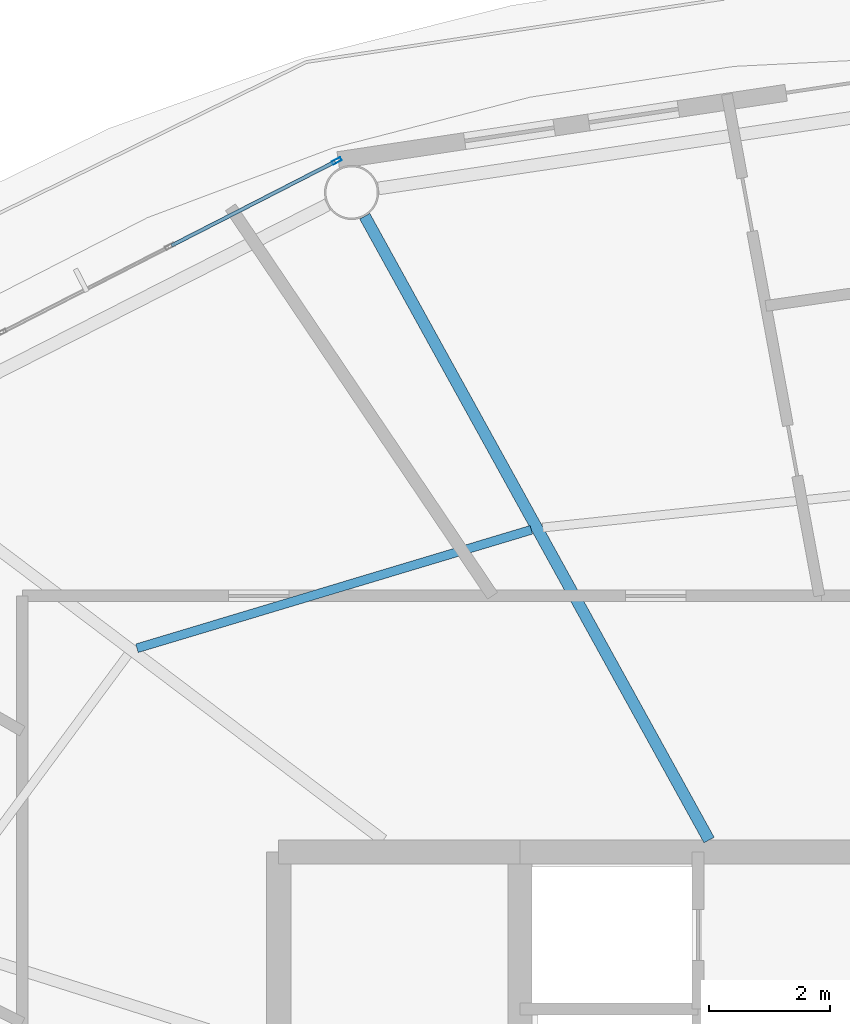
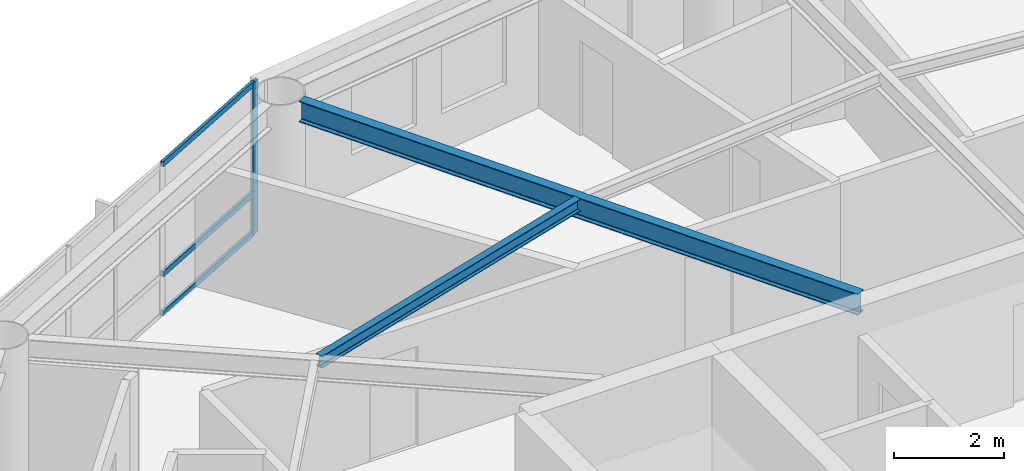
# One storey, part 9 of 22: 4 members, 2 beams, 1 element without a shape of its own.
"""IFC4 building model written with IfcOpenShell, lengths in metres."""

import ifcopenshell
import ifcopenshell.guid

model = None  # the IFC model being written
_history = None  # IfcOwnerHistory: only IFC2X3 demands one
_inside = {}  # id of a spatial element -> (the spatial element, [elements in it])
_under = {}  # id of a project, library or spatial element -> (it, [spatial elements below it])
_declared = {}  # id of a project -> (the project, [libraries it declares])
_typed = {}  # id of a type object -> (the type object, [elements of that type])
_made_of = {}  # id of a material, layer set ... -> (it, [elements and type objects made of it])


def new_model(schema):
    """Start an empty IFC model of exactly this schema.

    Asked for "IFC4X3", IfcOpenShell would pick the latest addendum, in which some entities
    have other attributes; the version numbers below select the first issue.
    IFC2X3 requires an IfcOwnerHistory on every rooted entity: one is made here for all.
    """
    global model, _history
    if schema == "IFC4X3":
        model = ifcopenshell.file(schema_version=(4, 3, 0, 0))
    else:
        model = ifcopenshell.file(schema=schema)
    _inside.clear()
    _under.clear()
    _declared.clear()
    _typed.clear()
    _made_of.clear()
    _history = None
    if model.schema == "IFC2X3":
        org = make("IfcOrganization", Name="unknown")
        user = make(
            "IfcPersonAndOrganization",
            ThePerson=make("IfcPerson", FamilyName="unknown"),
            TheOrganization=org,
        )
        app = make(
            "IfcApplication",
            ApplicationDeveloper=org,
            Version="unknown",
            ApplicationFullName="unknown",
            ApplicationIdentifier="unknown",
        )
        _history = make(
            "IfcOwnerHistory",
            OwningUser=user,
            OwningApplication=app,
            ChangeAction="ADDED",
            CreationDate=0,
        )
    return model


def make(cls, **values):
    """One entity of the class cls with the attributes given. An attribute that is None is left unset."""
    return model.create_entity(
        cls, **{name: value for name, value in values.items() if value is not None}
    )


def rooted(cls, **values):
    """An entity with a GlobalId (a new one), such as an element, a storey or a relation."""
    return make(cls, GlobalId=ifcopenshell.guid.new(), OwnerHistory=_history, **values)


def si_unit(unit_type, name, prefix=None):
    """IfcSIUnit, for example si_unit("LENGTHUNIT", "METRE", prefix="MILLI")."""
    return make("IfcSIUnit", UnitType=unit_type, Prefix=prefix, Name=name)


def assignment(units):
    """IfcUnitAssignment: the units of a project."""
    return None if units is None else make("IfcUnitAssignment", Units=units)


def point(xyz):
    """IfcCartesianPoint."""
    return None if xyz is None else make("IfcCartesianPoint", Coordinates=xyz)


def direction(xyz):
    """IfcDirection."""
    return None if xyz is None else make("IfcDirection", DirectionRatios=xyz)


def frame(location, z_axis=None, x_axis=None):
    """IfcAxis2Placement3D, a coordinate frame: its origin and axes. An axis left out is left unset."""
    return make(
        "IfcAxis2Placement3D",
        Location=point(location),
        Axis=direction(z_axis),
        RefDirection=direction(x_axis),
    )


def frame_2d(location, x_axis=None):
    """IfcAxis2Placement2D, a coordinate frame in the plane: its origin and x axis."""
    return make(
        "IfcAxis2Placement2D", Location=point(location), RefDirection=direction(x_axis)
    )


def origin():
    """The frame at (0, 0, 0) with its axes left unset."""
    return frame((0.0, 0.0, 0.0))


def origin_2d():
    """The frame at (0, 0) in the plane with its x axis left unset."""
    return frame_2d((0.0, 0.0))


def place(relative_to, where):
    """IfcLocalPlacement: puts the frame where relative to a parent placement (None: the world)."""
    return make(
        "IfcLocalPlacement", PlacementRelTo=relative_to, RelativePlacement=where
    )


def context(
    kind, dimensions, precision=None, world=None, true_north=None, identifier=None
):
    """IfcGeometricRepresentationContext, for example the 3D "Model" context."""
    return make(
        "IfcGeometricRepresentationContext",
        ContextIdentifier=identifier,
        ContextType=kind,
        CoordinateSpaceDimension=dimensions,
        Precision=precision,
        WorldCoordinateSystem=world,
        TrueNorth=true_north,
    )


def subcontext(parent, identifier, kind, view, scale=None):
    """IfcGeometricRepresentationSubContext, for example "Body" below "Model"."""
    return make(
        "IfcGeometricRepresentationSubContext",
        ContextIdentifier=identifier,
        ContextType=kind,
        ParentContext=parent,
        TargetScale=scale,
        TargetView=view,
    )


def project(units=None, contexts=None):
    """IfcProject with its units and contexts."""
    return rooted(
        "IfcProject",
        Name="project",
        RepresentationContexts=contexts,
        UnitsInContext=assignment(units),
    )


def spatial(cls, under=None, at=None, **own):
    """A site, building, storey or space (cls), placed at a placement, below another one or the project."""
    s = rooted(cls, ObjectPlacement=at, **own)
    if under is not None:
        _under.setdefault(under.id(), (under, []))[1].append(s)
    return s


def profile(cls, at=None, kind="AREA", **sizes):
    """A parametric profile (cls). Its sizes go by their IFC names, for example OverallWidth=200.0."""
    return make(cls, ProfileType=kind, Position=at, **sizes)


def hollow_rectangle(**sizes):
    """IfcRectangleHollowProfileDef."""
    return profile("IfcRectangleHollowProfileDef", **sizes)


def i_section(**sizes):
    """IfcIShapeProfileDef."""
    return profile("IfcIShapeProfileDef", **sizes)


def extrude(swept, where, along, depth):
    """IfcExtrudedAreaSolid: the profile swept, set in the frame where, extruded along a direction by depth."""
    return make(
        "IfcExtrudedAreaSolid",
        SweptArea=swept,
        Position=where,
        ExtrudedDirection=direction(along),
        Depth=depth,
    )


def shape(context_of_items, identifier, shape_type, items):
    """IfcShapeRepresentation: the items that make up one representation, for example the "Body"."""
    return make(
        "IfcShapeRepresentation",
        ContextOfItems=context_of_items,
        RepresentationIdentifier=identifier,
        RepresentationType=shape_type,
        Items=items,
    )


def material(Name=None, Category=None):
    """IfcMaterial."""
    return make("IfcMaterial", Name=Name, Category=Category)


def layer(
    of_material, thickness, ventilated=None, Name=None, Category=None, Priority=None
):
    """IfcMaterialLayer: one layer of a wall or slab, of a material (None: an air gap)."""
    return make(
        "IfcMaterialLayer",
        Material=of_material,
        LayerThickness=thickness,
        IsVentilated=ventilated,
        Name=Name,
        Category=Category,
        Priority=Priority,
    )


def layer_set(layers, Name=None):
    """IfcMaterialLayerSet."""
    return make("IfcMaterialLayerSet", MaterialLayers=layers, LayerSetName=Name)


def material_profile(
    of_material, cross_section, Name=None, Category=None, Priority=None
):
    """IfcMaterialProfile: a cross section and its material."""
    return make(
        "IfcMaterialProfile",
        Name=Name,
        Material=of_material,
        Profile=cross_section,
        Priority=Priority,
        Category=Category,
    )


def profile_set(profiles, Name=None, composite=None):
    """IfcMaterialProfileSet."""
    return make(
        "IfcMaterialProfileSet",
        Name=Name,
        MaterialProfiles=profiles,
        CompositeProfile=composite,
    )


def made_of(thing, what):
    """Note that an element or type object is made of a material, layer set ...; save() writes the relation."""
    if what is not None:
        _made_of.setdefault(what.id(), (what, []))[1].append(thing)
    return thing


def type_object(cls, material=None, **own):
    """A type object (cls), such as IfcWallType, which elements share."""
    return made_of(rooted(cls, **own), material)


def element(
    cls,
    number,
    at=None,
    inside=None,
    cuts=None,
    type_object=None,
    material=None,
    context=None,
    identifier="Body",
    shape_type=None,
    held_by="IfcProductDefinitionShape",
    body=None,
    shapes=None,
    **own,
):
    """One element of the class cls, such as IfcWall. Its Tag is "e" and its number.

    at: its placement. inside: the storey or other place that contains it. cuts: it is an
    opening in that element (IfcRelVoidsElement). A single representation is given by context,
    identifier, shape_type and body (its items); several are given by shapes. held_by: the class
    of the entity that holds the representations. save() writes the other relations.
    """
    e = rooted(cls, Tag="e%d" % number, ObjectPlacement=at, **own)
    if body is not None:
        shapes = [shape(context, identifier, shape_type, body)]
    if shapes is not None:
        e.Representation = make(held_by, Representations=shapes)
    if inside is not None:
        _inside.setdefault(inside.id(), (inside, []))[1].append(e)
    if cuts is not None:
        rooted(
            "IfcRelVoidsElement", RelatingBuildingElement=cuts, RelatedOpeningElement=e
        )
    if type_object is not None:
        _typed.setdefault(type_object.id(), (type_object, []))[1].append(e)
    return made_of(e, material)


def aggregate(whole, parts):
    """IfcRelAggregates: a whole, such as a stair, and the parts it consists of."""
    return rooted("IfcRelAggregates", RelatingObject=whole, RelatedObjects=parts)


def save(model, path):
    """Write the relations noted so far, then the file.

    IfcRelAggregates (storeys below a building ...), IfcRelContainedInSpatialStructure (elements
    in a storey), IfcRelDefinesByType, IfcRelAssociatesMaterial and IfcRelDeclares: one each for
    every whole, place, type object, material and project.
    """
    for whole, parts in _under.values():
        aggregate(whole, parts)
    for where, things in _inside.values():
        rooted(
            "IfcRelContainedInSpatialStructure",
            RelatedElements=things,
            RelatingStructure=where,
        )
    for kind, things in _typed.values():
        rooted("IfcRelDefinesByType", RelatedObjects=things, RelatingType=kind)
    for what, things in _made_of.values():
        rooted("IfcRelAssociatesMaterial", RelatedObjects=things, RelatingMaterial=what)
    for by, libraries in _declared.values():
        rooted("IfcRelDeclares", RelatingContext=by, RelatedDefinitions=libraries)
    model.write(path)


model = new_model("IFC4")

# Units and contexts
model_context = context("Model", 3, precision=1e-05, world=origin(), true_north=direction((0.0, 1.0)))
body_context = subcontext(model_context, "Body", "Model", "MODEL_VIEW")
ifc_project = project(units=[si_unit("LENGTHUNIT", "METRE"), si_unit("AREAUNIT", "SQUARE_METRE"), si_unit("VOLUMEUNIT", "CUBIC_METRE"), si_unit("PLANEANGLEUNIT", "RADIAN"), si_unit("MASSUNIT", "GRAM", prefix="KILO")], contexts=[model_context])

# Site, building, storey
site_placement = place(None, origin())
site = spatial("IfcSite", under=ifc_project, at=site_placement, CompositionType="ELEMENT")
building_placement = place(site_placement, origin())
building = spatial("IfcBuilding", under=site, at=building_placement, Name="Sarneth Arch Tower", CompositionType="ELEMENT")
storey_placement = place(building_placement, frame((0.0, 0.0, 210.0)))
storey = spatial("IfcBuildingStorey", under=building, at=storey_placement, Name="L53", CompositionType="ELEMENT", Elevation=210.0)

# Beams
ifc_material_1 = material(Name="Steel S355", Category="steel")
ifc_material_profile_1 = material_profile(ifc_material_1, i_section(OverallWidth=0.14794921875, OverallDepth=0.26611328125, WebThickness=0.007568359375, FlangeThickness=0.012939453125, FilletRadius=0.012939453125, at=origin_2d()), Name="W250x44.8")
ifc_profile_set_1 = profile_set([ifc_material_profile_1], Name="Steel S355")
beam_type_1 = type_object("IfcBeamType", Name="BM-JOIST-250", PredefinedType="JOIST", material=ifc_profile_set_1)
beam_1_placement = place(storey_placement, frame((41.189453125, 54.14453125, 3.22705078125), z_axis=(-0.957725851155, -0.287682453461, 0.0), x_axis=(0.287682453461, -0.957725851155, 0.0)))
element("IfcBeam", 1, at=beam_1_placement, inside=storey, type_object=beam_type_1, Name="L53 Secondary floor joist 06", PredefinedType="JOIST", context=body_context, shape_type="SweptSolid", body=[
    extrude(i_section(OverallWidth=0.14794921875, OverallDepth=0.26611328125, WebThickness=0.007568359375, FlangeThickness=0.012939453125, FilletRadius=0.012939453125, at=origin_2d()), origin(), (0.0, 0.0, 1.0), 6.828125),
])
ifc_material_2 = material(Name="Steel S355", Category="steel")
ifc_material_profile_2 = material_profile(ifc_material_2, i_section(OverallWidth=0.19189453125, OverallDepth=0.462890625, WebThickness=0.010498046875, FlangeThickness=0.017578125, FilletRadius=0.01806640625, at=origin_2d()), Name="W460x89")
ifc_profile_set_2 = profile_set([ifc_material_profile_2], Name="Steel S355")
beam_type_2 = type_object("IfcBeamType", Name="BM-RAD-460B", PredefinedType="BEAM", material=ifc_profile_set_2)
beam_2_placement = place(storey_placement, frame((44.13623046875, 49.0, 3.12841796875), z_axis=(-0.483218265038, 0.875499919094, 0.0), x_axis=(-0.875499919094, -0.483218265038, 0.0)))
element("IfcBeam", 2, at=beam_2_placement, inside=storey, type_object=beam_type_2, Name="L53 Radial floor girder 06", PredefinedType="BEAM", context=body_context, shape_type="SweptSolid", body=[
    extrude(i_section(OverallWidth=0.19189453125, OverallDepth=0.462890625, WebThickness=0.010498046875, FlangeThickness=0.017578125, FilletRadius=0.01806640625, at=origin_2d()), origin(), (0.0, 0.0, 1.0), 11.8154296875),
])

# Curtain wall, members
ifc_material_3 = material(Name="Anodised aluminium Type AA25 and solar-control low-e laminated IGU", Category="aluminium")
ifc_layer = layer(ifc_material_3, 0.179931640625)
ifc_layer_set = layer_set([ifc_layer], Name="Anodised aluminium Type AA25 and solar-control low-e laminated IGU")
curtain_wall_type = type_object("IfcCurtainWallType", Name="CW-RES-HIGH", PredefinedType="NOTDEFINED", material=ifc_layer_set)
curtain_wall_placement = place(storey_placement, origin())
curtain_wall = element("IfcCurtainWall", 3, at=curtain_wall_placement, inside=storey, type_object=curtain_wall_type, Name="L53 Unitised curtain wall facet 06", PredefinedType="NOTDEFINED")
ifc_material_4 = material(Name="Anodised Aluminium 6063-T6", Category="aluminium")
ifc_material_profile_3 = material_profile(ifc_material_4, hollow_rectangle(XDim=0.06005859375, YDim=0.159912109375, WallThickness=0.00390625, at=origin_2d()), Name="AL-MULL-160x60x4")
ifc_profile_set_3 = profile_set([ifc_material_profile_3], Name="Anodised Aluminium 6063-T6")
member_type_1 = type_object("IfcMemberType", Name="CW-MULLION", PredefinedType="MULLION", material=ifc_profile_set_3)
member_1_placement = place(storey_placement, frame((37.960693359375, 60.2607421875, 0.0), z_axis=(0.0, 0.0, 1.0), x_axis=(0.455941901753, -0.890009540525, 0.0)))
member_1 = element("IfcMember", 4, at=member_1_placement, type_object=member_type_1, Name="CW-SYS-6 mullion 1", PredefinedType="MULLION", context=body_context, shape_type="SweptSolid", body=[
    extrude(hollow_rectangle(XDim=0.06005859375, YDim=0.159912109375, WallThickness=0.00390625, at=origin_2d()), origin(), (0.0, 0.0, 1.0), 3.360107421875),
])
ifc_material_5 = material(Name="Anodised Aluminium 6063-T6", Category="aluminium")
ifc_material_profile_4 = material_profile(ifc_material_5, hollow_rectangle(XDim=0.06005859375, YDim=0.1201171875, WallThickness=0.00390625, at=origin_2d()), Name="AL-TRAN-120x60x4")
ifc_profile_set_4 = profile_set([ifc_material_profile_4], Name="Anodised Aluminium 6063-T6")
member_type_2 = type_object("IfcMemberType", Name="CW-TRANSOM", PredefinedType="USERDEFINED", material=ifc_profile_set_4)
member_2_placement = place(storey_placement, frame((37.933837890625, 60.2470703125, 0.030029296875), z_axis=(-0.889973523166, -0.456012201662, 0.0), x_axis=(0.456012201662, -0.889973523166, 0.0)))
member_2 = element("IfcMember", 5, at=member_2_placement, type_object=member_type_2, Name="CW-SYS-6 transom 1.1", ObjectType="TRANSOM", PredefinedType="USERDEFINED", context=body_context, shape_type="SweptSolid", body=[
    extrude(hollow_rectangle(XDim=0.06005859375, YDim=0.1201171875, WallThickness=0.00390625, at=origin_2d()), origin(), (0.0, 0.0, 1.0), 3.044677734375),
])
member_3_placement = place(storey_placement, frame((37.933837890625, 60.2470703125, 0.89990234375), z_axis=(-0.889973523166, -0.456012201662, 0.0), x_axis=(0.456012201662, -0.889973523166, 0.0)))
member_3 = element("IfcMember", 6, at=member_3_placement, type_object=member_type_2, Name="CW-SYS-6 transom 1.2", ObjectType="TRANSOM", PredefinedType="USERDEFINED", context=body_context, shape_type="SweptSolid", body=[
    extrude(hollow_rectangle(XDim=0.06005859375, YDim=0.1201171875, WallThickness=0.00390625, at=origin_2d()), origin(), (0.0, 0.0, 1.0), 3.044677734375),
])
member_4_placement = place(storey_placement, frame((37.933837890625, 60.2470703125, 3.330078125), z_axis=(-0.889973523166, -0.456012201662, 0.0), x_axis=(0.456012201662, -0.889973523166, 0.0)))
member_4 = element("IfcMember", 7, at=member_4_placement, type_object=member_type_2, Name="CW-SYS-6 transom 1.3", ObjectType="TRANSOM", PredefinedType="USERDEFINED", context=body_context, shape_type="SweptSolid", body=[
    extrude(hollow_rectangle(XDim=0.06005859375, YDim=0.1201171875, WallThickness=0.00390625, at=origin_2d()), origin(), (0.0, 0.0, 1.0), 3.044677734375),
])
aggregate(curtain_wall, [member_1, member_2, member_3, member_4])

save(model, "model.ifc")
